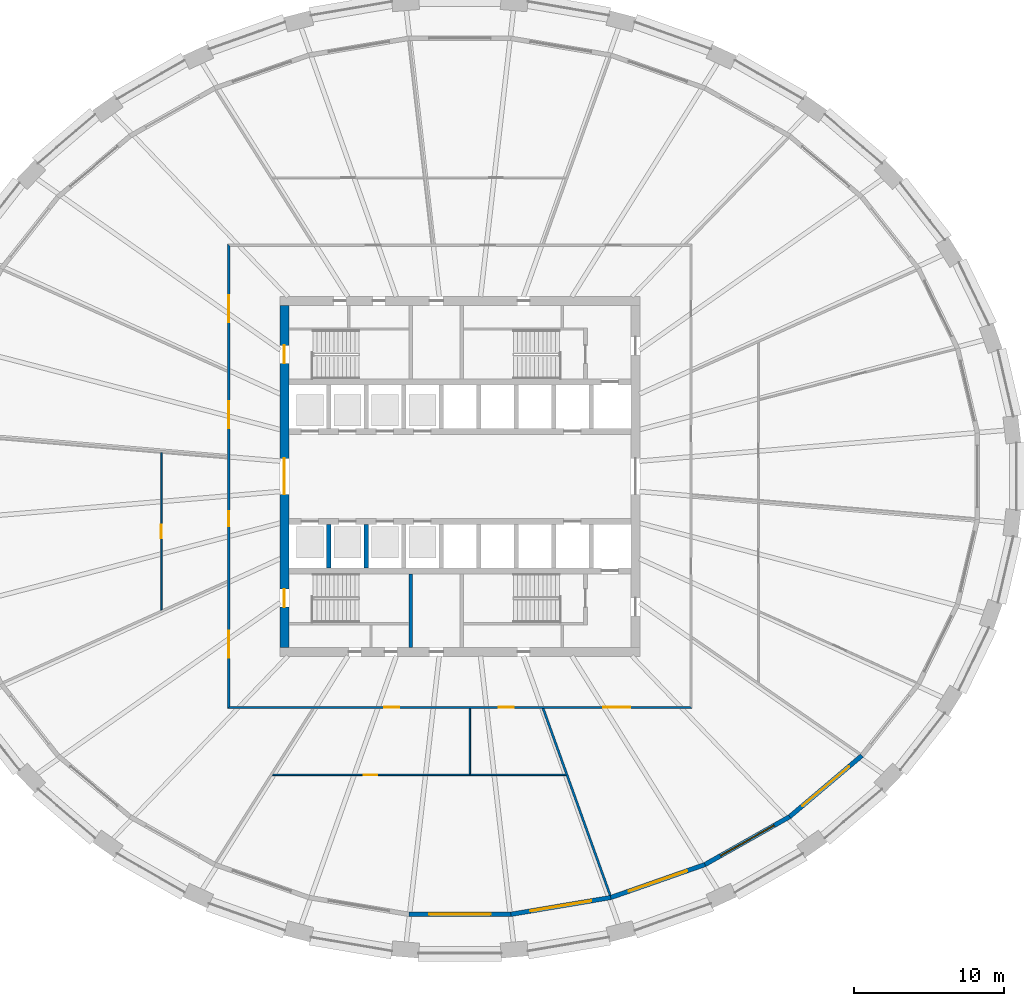
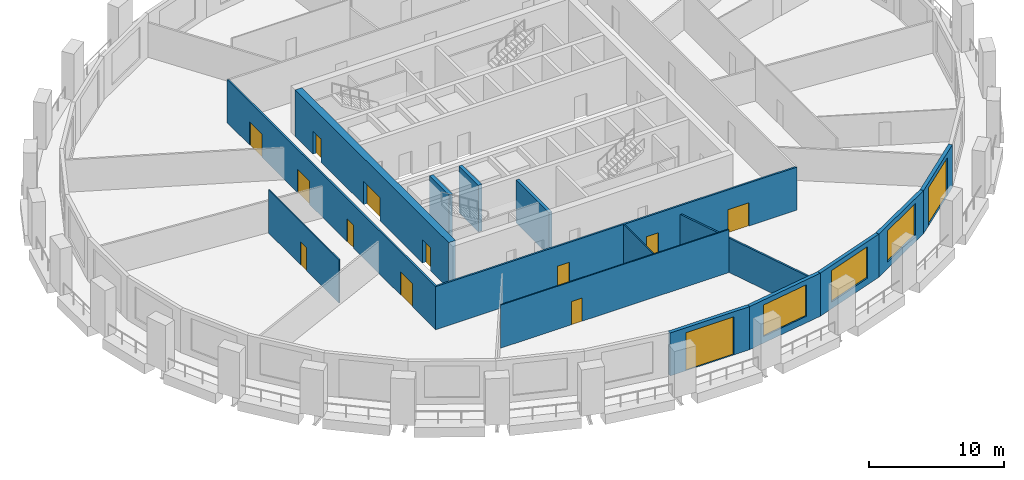
# One storey, part 3 of 10: 15 walls, 14 doors, 3 windows, 17 openings.
"""IFC4 building model written with IfcOpenShell, lengths in metres."""

from ifc_helpers import new_model, si_unit, direction, frame, frame_2d, origin, place, context, subcontext, project, spatial, polyline, rectangle, outline, extrude, material, layer, layer_set, type_object, element, fill, save


model = new_model("IFC4")

# Units and contexts
model_context = context("Model", 3, precision=1e-05, world=origin(), true_north=direction((0.0, 1.0)))
body_context = subcontext(model_context, "Body", "Model", "MODEL_VIEW")
ifc_project = project(units=[si_unit("LENGTHUNIT", "METRE"), si_unit("AREAUNIT", "SQUARE_METRE"), si_unit("VOLUMEUNIT", "CUBIC_METRE"), si_unit("PLANEANGLEUNIT", "RADIAN"), si_unit("MASSUNIT", "GRAM", prefix="KILO")], contexts=[model_context])

# Site, building, storey
site_placement = place(None, origin())
site = spatial("IfcSite", under=ifc_project, at=site_placement, CompositionType="ELEMENT")
building_placement = place(site_placement, origin())
building = spatial("IfcBuilding", under=site, at=building_placement, Name="Halqa Exchange Tower", CompositionType="ELEMENT")
storey_placement = place(building_placement, frame((0.0, 0.0, 57.10009765625)))
storey = spatial("IfcBuildingStorey", under=building, at=storey_placement, Name="L12", CompositionType="ELEMENT", Elevation=57.10009765625)

# Wall, openings, doors
ifc_material_1 = material(Name="Fire-rated gypsum board")
ifc_layer_1 = layer(ifc_material_1, 0.14990234375)
ifc_layer_set_1 = layer_set([ifc_layer_1], Name="Fire-rated gypsum board")
wall_type_1 = type_object("IfcWallType", Name="Fire partition EI 60 150", PredefinedType="PARTITIONING", material=ifc_layer_set_1)
wall_1_placement = place(storey_placement, frame((-15.39990234375, -15.47509765625, 0.0), z_axis=(0.0, 0.0, 1.0), x_axis=(0.0, 1.0, 0.0)))
wall_1 = element("IfcWall", 1, at=wall_1_placement, inside=storey, type_object=wall_type_1, Name="L12-PWL-006", PredefinedType="PARTITIONING", context=body_context, shape_type="SweptSolid", body=[
    extrude(outline(polyline([(0.150146484375, -0.074951171875), (2.065673828125, -0.074951171875), (3.9814453125, -0.074951171875), (5.89697265625, -0.074951171875), (7.8125, -0.074951171875), (9.728271484375, -0.074951171875), (11.643798828125, -0.074951171875), (13.5595703125, -0.074951171875), (15.47509765625, -0.074951171875), (17.390625, -0.074951171875), (19.306396484375, -0.074951171875), (21.221923828125, -0.074951171875), (23.1376953125, -0.074951171875), (25.05322265625, -0.074951171875), (26.96875, -0.074951171875), (28.884521484375, -0.074951171875), (30.800048828125, -0.074951171875), (30.949951171875, 0.074951171875), (29.015625, 0.074951171875), (27.081298828125, 0.074951171875), (25.14697265625, 0.074951171875), (23.21240234375, 0.074951171875), (21.278076171875, 0.074951171875), (19.34375, 0.074951171875), (17.409423828125, 0.074951171875), (15.47509765625, 0.074951171875), (13.540771484375, 0.074951171875), (11.6064453125, 0.074951171875), (9.672119140625, 0.074951171875), (7.73779296875, 0.074951171875), (5.80322265625, 0.074951171875), (3.868896484375, 0.074951171875), (1.9345703125, 0.074951171875), (0.000244140625, 0.074951171875), (0.150146484375, -0.074951171875)])), origin(), (0.0, 0.0, 1.0), 3.89990234375),
])
opening_1_placement = place(wall_1_placement, frame((25.7548828125, 0.0, 0.0)))
opening_1 = element("IfcOpeningElement", 2, at=opening_1_placement, cuts=wall_1, Name="Opening 03-03", PredefinedType="OPENING", context=body_context, shape_type="SweptSolid", body=[
    extrude(rectangle(XDim=1.800048828125, YDim=2.10009765625, at=frame_2d((0.89990234375, 1.050048828125))), frame((0.0, 0.0869140625, 0.0), z_axis=(0.0, -1.0, 0.0), x_axis=(1.0, 0.0, 0.0)), (0.0, 0.0, 1.0), 0.173828125),
])
opening_2_placement = place(wall_1_placement, frame((18.695068359375, 0.0, 0.0)))
opening_2 = element("IfcOpeningElement", 3, at=opening_2_placement, cuts=wall_1, Name="Opening 03-04", PredefinedType="OPENING", context=body_context, shape_type="SweptSolid", body=[
    extrude(rectangle(XDim=1.800048828125, YDim=2.10009765625, at=frame_2d((0.89990234375, 1.050048828125))), frame((0.0, 0.0869140625, 0.0), z_axis=(0.0, -1.0, 0.0), x_axis=(1.0, 0.0, 0.0)), (0.0, 0.0, 1.0), 0.173828125),
])
opening_3_placement = place(wall_1_placement, frame((12.135009765625, 0.0, 0.0)))
opening_3 = element("IfcOpeningElement", 4, at=opening_3_placement, cuts=wall_1, Name="Opening 03-05", PredefinedType="OPENING", context=body_context, shape_type="SweptSolid", body=[
    extrude(rectangle(XDim=1.0, YDim=2.10009765625, at=frame_2d((0.5, 1.050048828125))), frame((0.0, 0.0869140625, 0.0), z_axis=(0.0, -1.0, 0.0), x_axis=(1.0, 0.0, 0.0)), (0.0, 0.0, 1.0), 0.173828125),
])
opening_4_placement = place(wall_1_placement, frame((3.39501953125, 0.0, 0.0)))
opening_4 = element("IfcOpeningElement", 5, at=opening_4_placement, cuts=wall_1, Name="Opening 03-06", PredefinedType="OPENING", context=body_context, shape_type="SweptSolid", body=[
    extrude(rectangle(XDim=1.800048828125, YDim=2.10009765625, at=frame_2d((0.89990234375, 1.050048828125))), frame((0.0, 0.0869140625, 0.0), z_axis=(0.0, -1.0, 0.0), x_axis=(1.0, 0.0, 0.0)), (0.0, 0.0, 1.0), 0.173828125),
])
ifc_material_2 = material(Name="Steel fire door leaf", Category="steel")
door_type_1 = type_object("IfcDoorType", Name="Fire door FD30S 1000 x 2100", OperationType="SINGLE_SWING_LEFT", PredefinedType="DOOR", material=ifc_material_2)
door_1_placement = place(opening_3_placement, origin())
door_1 = element("IfcDoor", 6, at=door_1_placement, inside=storey, type_object=door_type_1, Name="L12-IDR-005", OperationType="SINGLE_SWING_LEFT", OverallHeight=2.10009765625, OverallWidth=1.0, PredefinedType="DOOR", context=body_context, shape_type="SweptSolid", body=[
    extrude(rectangle(XDim=1.0, YDim=2.10009765625, at=frame_2d((0.5, 1.050048828125))), frame((0.0, 0.02490234375, 0.0), z_axis=(0.0, -1.0, 0.0), x_axis=(1.0, 0.0, 0.0)), (0.0, 0.0, 1.0), 0.050048828125),
])
fill(opening_3, door_1)
door_type_2 = type_object("IfcDoorType", Name="Fire door FD30S double 1800 x 2100", OperationType="DOUBLE_DOOR_SINGLE_SWING", PredefinedType="DOOR", material=ifc_material_2)
door_2_placement = place(opening_1_placement, origin())
door_2 = element("IfcDoor", 7, at=door_2_placement, inside=storey, type_object=door_type_2, Name="L12-IDR-003", OperationType="DOUBLE_DOOR_SINGLE_SWING", OverallHeight=2.10009765625, OverallWidth=1.800048828125, PredefinedType="DOOR", context=body_context, shape_type="SweptSolid", body=[
    extrude(rectangle(XDim=1.800048828125, YDim=2.10009765625, at=frame_2d((0.89990234375, 1.050048828125))), frame((0.0, 0.02490234375, 0.0), z_axis=(0.0, -1.0, 0.0), x_axis=(1.0, 0.0, 0.0)), (0.0, 0.0, 1.0), 0.050048828125),
])
fill(opening_1, door_2)
door_3_placement = place(opening_2_placement, origin())
door_3 = element("IfcDoor", 8, at=door_3_placement, inside=storey, type_object=door_type_2, Name="L12-IDR-004", OperationType="DOUBLE_DOOR_SINGLE_SWING", OverallHeight=2.10009765625, OverallWidth=1.800048828125, PredefinedType="DOOR", context=body_context, shape_type="SweptSolid", body=[
    extrude(rectangle(XDim=1.800048828125, YDim=2.10009765625, at=frame_2d((0.89990234375, 1.050048828125))), frame((0.0, 0.02490234375, 0.0), z_axis=(0.0, -1.0, 0.0), x_axis=(1.0, 0.0, 0.0)), (0.0, 0.0, 1.0), 0.050048828125),
])
fill(opening_2, door_3)
door_4_placement = place(opening_4_placement, origin())
door_4 = element("IfcDoor", 9, at=door_4_placement, inside=storey, type_object=door_type_2, Name="L12-IDR-006", OperationType="DOUBLE_DOOR_SINGLE_SWING", OverallHeight=2.10009765625, OverallWidth=1.800048828125, PredefinedType="DOOR", context=body_context, shape_type="SweptSolid", body=[
    extrude(rectangle(XDim=1.800048828125, YDim=2.10009765625, at=frame_2d((0.89990234375, 1.050048828125))), frame((0.0, 0.02490234375, 0.0), z_axis=(0.0, -1.0, 0.0), x_axis=(1.0, 0.0, 0.0)), (0.0, 0.0, 1.0), 0.050048828125),
])
fill(opening_4, door_4)

wall_2_placement = place(storey_placement, frame((-15.47509765625, -15.39990234375, 0.0), z_axis=(0.0, 0.0, 1.0), x_axis=(1.0, 0.0, 0.0)))
wall_2 = element("IfcWall", 10, at=wall_2_placement, inside=storey, type_object=wall_type_1, Name="L12-PWL-007", PredefinedType="PARTITIONING", context=body_context, shape_type="SweptSolid", body=[
    extrude(outline(polyline([(0.000244140625, -0.074951171875), (1.9345703125, -0.074951171875), (3.868896484375, -0.074951171875), (5.80322265625, -0.074951171875), (7.73779296875, -0.074951171875), (9.672119140625, -0.074951171875), (11.6064453125, -0.074951171875), (13.540771484375, -0.074951171875), (15.47509765625, -0.074951171875), (17.409423828125, -0.074951171875), (19.34375, -0.074951171875), (21.278076171875, -0.074951171875), (23.21240234375, -0.074951171875), (25.14697265625, -0.074951171875), (27.081298828125, -0.074951171875), (29.015625, -0.074951171875), (30.949951171875, -0.074951171875), (30.800048828125, 0.074951171875), (28.884521484375, 0.074951171875), (26.96875, 0.074951171875), (25.05322265625, 0.074951171875), (23.1376953125, 0.074951171875), (21.221923828125, 0.074951171875), (19.306396484375, 0.074951171875), (17.390625, 0.074951171875), (15.47509765625, 0.074951171875), (13.5595703125, 0.074951171875), (11.643798828125, 0.074951171875), (9.728271484375, 0.074951171875), (7.8125, 0.074951171875), (5.89697265625, 0.074951171875), (3.9814453125, 0.074951171875), (2.065673828125, 0.074951171875), (0.150146484375, 0.074951171875), (0.000244140625, -0.074951171875)])), origin(), (0.0, 0.0, 1.0), 3.89990234375),
])
opening_5_placement = place(wall_2_placement, frame((10.445068359375, 0.0, 0.0)))
opening_5 = element("IfcOpeningElement", 11, at=opening_5_placement, cuts=wall_2, Name="Opening 03-07", PredefinedType="OPENING", context=body_context, shape_type="SweptSolid", body=[
    extrude(rectangle(XDim=1.0, YDim=2.10009765625, at=frame_2d((0.5, 1.050048828125))), frame((0.0, 0.0869140625, 0.0), z_axis=(0.0, -1.0, 0.0), x_axis=(1.0, 0.0, 0.0)), (0.0, 0.0, 1.0), 0.173828125),
])
opening_6_placement = place(wall_2_placement, frame((18.070068359375, 0.0, 0.0)))
opening_6 = element("IfcOpeningElement", 12, at=opening_6_placement, cuts=wall_2, Name="Opening 03-08", PredefinedType="OPENING", context=body_context, shape_type="SweptSolid", body=[
    extrude(rectangle(XDim=1.0, YDim=2.10009765625, at=frame_2d((0.5, 1.050048828125))), frame((0.0, 0.0869140625, 0.0), z_axis=(0.0, -1.0, 0.0), x_axis=(1.0, 0.0, 0.0)), (0.0, 0.0, 1.0), 0.173828125),
])
opening_7_placement = place(wall_2_placement, frame((25.034912109375, 0.0, 0.0)))
opening_7 = element("IfcOpeningElement", 13, at=opening_7_placement, cuts=wall_2, Name="Opening 03-09", PredefinedType="OPENING", context=body_context, shape_type="SweptSolid", body=[
    extrude(rectangle(XDim=1.800048828125, YDim=2.10009765625, at=frame_2d((0.89990234375, 1.050048828125))), frame((0.0, 0.0869140625, 0.0), z_axis=(0.0, -1.0, 0.0), x_axis=(1.0, 0.0, 0.0)), (0.0, 0.0, 1.0), 0.173828125),
])
door_5_placement = place(opening_5_placement, frame((1.0, 0.0, 0.0), z_axis=(0.0, 0.0, 1.0), x_axis=(-1.0, 0.0, 0.0)))
door_5 = element("IfcDoor", 14, at=door_5_placement, inside=storey, type_object=door_type_1, Name="L12-IDR-007", OperationType="SINGLE_SWING_RIGHT", OverallHeight=2.10009765625, OverallWidth=1.0, PredefinedType="DOOR", context=body_context, shape_type="SweptSolid", body=[
    extrude(rectangle(XDim=1.0, YDim=2.10009765625, at=frame_2d((0.5, 1.050048828125))), frame((0.0, 0.02490234375, 0.0), z_axis=(0.0, -1.0, 0.0), x_axis=(1.0, 0.0, 0.0)), (0.0, 0.0, 1.0), 0.050048828125),
])
fill(opening_5, door_5)
door_6_placement = place(opening_6_placement, frame((1.0, 0.0, 0.0), z_axis=(0.0, 0.0, 1.0), x_axis=(-1.0, 0.0, 0.0)))
door_6 = element("IfcDoor", 15, at=door_6_placement, inside=storey, type_object=door_type_1, Name="L12-IDR-008", OperationType="SINGLE_SWING_LEFT", OverallHeight=2.10009765625, OverallWidth=1.0, PredefinedType="DOOR", context=body_context, shape_type="SweptSolid", body=[
    extrude(rectangle(XDim=1.0, YDim=2.10009765625, at=frame_2d((0.5, 1.050048828125))), frame((0.0, 0.02490234375, 0.0), z_axis=(0.0, -1.0, 0.0), x_axis=(1.0, 0.0, 0.0)), (0.0, 0.0, 1.0), 0.050048828125),
])
fill(opening_6, door_6)
door_7_placement = place(opening_7_placement, frame((1.800048828125, 0.0, 0.0), z_axis=(0.0, 0.0, 1.0), x_axis=(-1.0, 0.0, 0.0)))
door_7 = element("IfcDoor", 16, at=door_7_placement, inside=storey, type_object=door_type_2, Name="L12-IDR-009", OperationType="DOUBLE_DOOR_SINGLE_SWING", OverallHeight=2.10009765625, OverallWidth=1.800048828125, PredefinedType="DOOR", context=body_context, shape_type="SweptSolid", body=[
    extrude(rectangle(XDim=1.800048828125, YDim=2.10009765625, at=frame_2d((0.89990234375, 1.050048828125))), frame((0.0, 0.02490234375, 0.0), z_axis=(0.0, -1.0, 0.0), x_axis=(1.0, 0.0, 0.0)), (0.0, 0.0, 1.0), 0.050048828125),
])
fill(opening_7, door_7)

# Wall
wall_3_placement = place(storey_placement, frame((5.537841796875, -15.449951171875, 0.0), z_axis=(0.0, 0.0, 1.0), x_axis=(0.337991057854, -0.941149321208, 0.0)))
element("IfcWall", 17, at=wall_3_placement, inside=storey, type_object=wall_type_1, Name="L12-PWL-015", PredefinedType="PARTITIONING", context=body_context, shape_type="SweptSolid", body=[
    extrude(outline(polyline([(0.0, -0.074951171875), (1.54931640625, -0.074951171875), (3.098876953125, -0.074951171875), (4.648193359375, -0.074951171875), (4.660400390625, -0.04150390625), (4.753662109375, -0.074951171875), (6.451904296875, -0.074951171875), (8.150146484375, -0.074951171875), (9.8486328125, -0.074951171875), (11.546875, -0.074951171875), (13.2451171875, -0.074951171875), (13.2587890625, 0.000244140625), (13.259033203125, 0.040771484375), (13.259033203125, 0.074951171875), (11.37255859375, 0.074951171875), (9.486083984375, 0.074951171875), (7.599609375, 0.074951171875), (5.713134765625, 0.074951171875), (3.826416015625, 0.074951171875), (1.93994140625, 0.074951171875), (0.053466796875, 0.074951171875), (0.0, -0.07421875), (0.0, -0.074951171875)])), origin(), (0.0, 0.0, 1.0), 3.10986328125),
])

# Wall, opening, door
ifc_material_3 = material(Name="Gypsum board")
ifc_layer_2 = layer(ifc_material_3, 0.10009765625)
ifc_layer_set_2 = layer_set([ifc_layer_2], Name="Gypsum board")
wall_type_2 = type_object("IfcWallType", Name="Partition 100 gypsum", PredefinedType="PARTITIONING", material=ifc_layer_set_2)
wall_4_placement = place(storey_placement, frame((-19.89990234375, -8.9326171875, 0.0), z_axis=(0.0, 0.0, 1.0), x_axis=(0.0, 1.0, 0.0)))
wall_4 = element("IfcWall", 18, at=wall_4_placement, inside=storey, type_object=wall_type_2, Name="L12-PWL-003", PredefinedType="PARTITIONING", context=body_context, shape_type="SweptSolid", body=[
    extrude(outline(polyline([(0.044921875, -0.050048828125), (1.7890625, -0.050048828125), (3.533203125, -0.050048828125), (5.27734375, -0.050048828125), (7.021240234375, -0.050048828125), (8.765380859375, -0.050048828125), (10.509521484375, -0.050048828125), (10.517578125, 0.045654296875), (10.517578125, 0.050048828125), (8.7646484375, 0.050048828125), (7.01171875, 0.050048828125), (5.2587890625, 0.050048828125), (3.505859375, 0.050048828125), (1.7529296875, 0.050048828125), (0.0, 0.050048828125), (0.0, 0.049560546875), (0.044921875, -0.050048828125)])), origin(), (0.0, 0.0, 1.0), 3.89990234375),
])
opening_8_placement = place(wall_4_placement, frame((4.8173828125, 0.0, 0.0)))
opening_8 = element("IfcOpeningElement", 19, at=opening_8_placement, cuts=wall_4, Name="Opening 03-16", PredefinedType="OPENING", context=body_context, shape_type="SweptSolid", body=[
    extrude(rectangle(XDim=0.89990234375, YDim=2.10009765625, at=frame_2d((0.449951171875, 1.050048828125))), frame((0.0, 0.06201171875, 0.0), z_axis=(0.0, -1.0, 0.0), x_axis=(1.0, 0.0, 0.0)), (0.0, 0.0, 1.0), 0.1240234375),
])
ifc_material_4 = material(Name="Timber door leaf", Category="wood")
door_type_3 = type_object("IfcDoorType", Name="Door 900 x 2100", OperationType="SINGLE_SWING_LEFT", PredefinedType="DOOR", material=ifc_material_4)
door_8_placement = place(opening_8_placement, frame((0.89990234375, 0.0, 0.0), z_axis=(0.0, 0.0, 1.0), x_axis=(-1.0, 0.0, 0.0)))
door_8 = element("IfcDoor", 20, at=door_8_placement, inside=storey, type_object=door_type_3, Name="L12-IDR-016", OperationType="SINGLE_SWING_LEFT", OverallHeight=2.10009765625, OverallWidth=0.89990234375, PredefinedType="DOOR", context=body_context, shape_type="SweptSolid", body=[
    extrude(rectangle(XDim=0.89990234375, YDim=2.10009765625, at=frame_2d((0.449951171875, 1.050048828125))), frame((0.0, 0.02490234375, 0.0), z_axis=(0.0, -1.0, 0.0), x_axis=(1.0, 0.0, 0.0)), (0.0, 0.0, 1.0), 0.050048828125),
])
fill(opening_8, door_8)

wall_5_placement = place(storey_placement, frame((-12.51953125, -19.89990234375, 0.0), z_axis=(0.0, 0.0, 1.0), x_axis=(1.0, 0.0, 0.0)))
wall_5 = element("IfcWall", 21, at=wall_5_placement, inside=storey, type_object=wall_type_2, Name="L12-PWL-010", PredefinedType="PARTITIONING", context=body_context, shape_type="SweptSolid", body=[
    extrude(outline(polyline([(19.593505859375, -0.050048828125), (19.593505859375, -0.04931640625), (19.557861328125, 0.050048828125), (17.978271484375, 0.050048828125), (16.398681640625, 0.050048828125), (14.819091796875, 0.050048828125), (13.239501953125, 0.050048828125), (13.239501953125, 0.0498046875), (13.1396484375, 0.0498046875), (13.1396484375, 0.050048828125), (11.271484375, 0.050048828125), (9.4033203125, 0.050048828125), (7.53515625, 0.050048828125), (5.667236328125, 0.050048828125), (3.799072265625, 0.050048828125), (1.930908203125, 0.050048828125), (0.06298828125, 0.050048828125), (0.0, -0.049560546875), (0.0, -0.050048828125), (1.95947265625, -0.050048828125), (3.918701171875, -0.050048828125), (5.8779296875, -0.050048828125), (7.83740234375, -0.050048828125), (9.796875, -0.050048828125), (11.756103515625, -0.050048828125), (13.71533203125, -0.050048828125), (15.6748046875, -0.050048828125), (17.63427734375, -0.050048828125), (19.593505859375, -0.050048828125)])), origin(), (0.0, 0.0, 1.0), 3.89990234375),
])
opening_9_placement = place(wall_5_placement, frame((6.114501953125, 0.0, 0.0)))
opening_9 = element("IfcOpeningElement", 22, at=opening_9_placement, cuts=wall_5, Name="Opening 03-17", PredefinedType="OPENING", context=body_context, shape_type="SweptSolid", body=[
    extrude(rectangle(XDim=0.89990234375, YDim=2.10009765625, at=frame_2d((0.449951171875, 1.050048828125))), frame((0.0, 0.06201171875, 0.0), z_axis=(0.0, -1.0, 0.0), x_axis=(1.0, 0.0, 0.0)), (0.0, 0.0, 1.0), 0.1240234375),
])
door_9_placement = place(opening_9_placement, origin())
door_9 = element("IfcDoor", 23, at=door_9_placement, inside=storey, type_object=door_type_3, Name="L12-IDR-017", OperationType="SINGLE_SWING_RIGHT", OverallHeight=2.10009765625, OverallWidth=0.89990234375, PredefinedType="DOOR", context=body_context, shape_type="SweptSolid", body=[
    extrude(rectangle(XDim=0.89990234375, YDim=2.10009765625, at=frame_2d((0.449951171875, 1.050048828125))), frame((0.0, 0.02490234375, 0.0), z_axis=(0.0, -1.0, 0.0), x_axis=(1.0, 0.0, 0.0)), (0.0, 0.0, 1.0), 0.050048828125),
])
fill(opening_9, door_9)

# Walls
wall_6_placement = place(storey_placement, frame((0.669921875, -15.47509765625, 0.0), z_axis=(0.0, 0.0, 1.0), x_axis=(0.0, -1.0, 0.0)))
element("IfcWall", 24, at=wall_6_placement, inside=storey, type_object=wall_type_2, Name="L12-PWL-014", PredefinedType="PARTITIONING", context=body_context, shape_type="SweptSolid", body=[
    extrude(rectangle(XDim=4.375, YDim=0.10009765625, at=frame_2d((2.1875, 0.0))), origin(), (0.0, 0.0, 1.0), 3.89990234375),
])
ifc_material_5 = material(Name="Concrete C60/75", Category="concrete")
ifc_layer_3 = layer(ifc_material_5, 0.300048828125)
ifc_layer_set_3 = layer_set([ifc_layer_3], Name="Concrete C60/75")
wall_type_3 = type_object("IfcWallType", Name="RC core wall 300", PredefinedType="SHEAR", material=ifc_layer_set_3)
for number, where, z_axis, x_axis, name in (
    (25, (-8.75, -6.10009765625, 0.0), (0.0, 0.0, 1.0), (0.0, 1.0, 0.0), "Shaft divider S1"),
    (26, (-6.25, -6.10009765625, 0.0), (0.0, 0.0, 1.0), (0.0, 1.0, 0.0), "Shaft divider S2"),
):
    element("IfcWall", number, at=place(storey_placement, frame(where, z_axis=z_axis, x_axis=x_axis)), inside=storey, type_object=wall_type_3, Name=name, PredefinedType="SHEAR", context=body_context, shape_type="SweptSolid", body=[
        extrude(rectangle(XDim=2.900146484375, YDim=0.300048828125, at=frame_2d((1.4501953125, 0.0))), origin(), (0.0, 0.0, 1.0), 4.199951171875),
    ])

# Wall, openings, doors
ifc_material_6 = material(Name="Concrete C80/95", Category="concrete")
ifc_layer_4 = layer(ifc_material_6, 0.60009765625)
ifc_layer_set_4 = layer_set([ifc_layer_4], Name="Concrete C80/95")
wall_type_4 = type_object("IfcWallType", Name="RC core wall 600 C80/95", PredefinedType="SHEAR", material=ifc_layer_set_4)
wall_7_placement = place(storey_placement, frame((-11.699951171875, -11.39990234375, 0.0), z_axis=(0.0, 0.0, 1.0), x_axis=(0.0, 1.0, 0.0)))
wall_7 = element("IfcWall", 27, at=wall_7_placement, inside=storey, type_object=wall_type_4, Name="Core wall west", PredefinedType="SHEAR", context=body_context, shape_type="SweptSolid", body=[
    extrude(rectangle(XDim=22.7998046875, YDim=0.60009765625, at=frame_2d((11.39990234375, 0.0))), origin(), (0.0, 0.0, 1.0), 4.199951171875),
])
opening_10_placement = place(wall_7_placement, frame((10.199951171875, 0.0, 0.0)))
opening_10 = element("IfcOpeningElement", 28, at=opening_10_placement, cuts=wall_7, Name="Opening T03-C13", PredefinedType="OPENING", context=body_context, shape_type="SweptSolid", body=[
    extrude(rectangle(XDim=2.39990234375, YDim=2.10009765625, at=frame_2d((1.199951171875, 1.050048828125))), frame((0.0, 0.31201171875, 0.0), z_axis=(0.0, -1.0, 0.0), x_axis=(1.0, 0.0, 0.0)), (0.0, 0.0, 1.0), 0.6240234375),
])
opening_11_placement = place(wall_7_placement, frame((18.925048828125, 0.0, 0.0)))
opening_11 = element("IfcOpeningElement", 29, at=opening_11_placement, cuts=wall_7, Name="Opening T03-C15", PredefinedType="OPENING", context=body_context, shape_type="SweptSolid", body=[
    extrude(rectangle(XDim=1.199951171875, YDim=2.10009765625, at=frame_2d((0.60009765625, 1.050048828125))), frame((0.0, 0.31201171875, 0.0), z_axis=(0.0, -1.0, 0.0), x_axis=(1.0, 0.0, 0.0)), (0.0, 0.0, 1.0), 0.6240234375),
])
opening_12_placement = place(wall_7_placement, frame((2.675048828125, 0.0, 0.0)))
opening_12 = element("IfcOpeningElement", 30, at=opening_12_placement, cuts=wall_7, Name="Opening T03-C17", PredefinedType="OPENING", context=body_context, shape_type="SweptSolid", body=[
    extrude(rectangle(XDim=1.199951171875, YDim=2.10009765625, at=frame_2d((0.60009765625, 1.050048828125))), frame((0.0, 0.31201171875, 0.0), z_axis=(0.0, -1.0, 0.0), x_axis=(1.0, 0.0, 0.0)), (0.0, 0.0, 1.0), 0.6240234375),
])
door_type_4 = type_object("IfcDoorType", Name="Lobby double door FD60 2400 x 2100", OperationType="DOUBLE_DOOR_SINGLE_SWING", PredefinedType="DOOR", material=ifc_material_2)
door_10_placement = place(opening_10_placement, frame((2.39990234375, 0.0, 0.0), z_axis=(0.0, 0.0, 1.0), x_axis=(-1.0, 0.0, 0.0)))
door_10 = element("IfcDoor", 31, at=door_10_placement, inside=storey, type_object=door_type_4, Name="Lift lobby double door", OperationType="DOUBLE_DOOR_SINGLE_SWING", OverallHeight=2.10009765625, OverallWidth=2.39990234375, PredefinedType="DOOR", context=body_context, shape_type="SweptSolid", body=[
    extrude(rectangle(XDim=2.39990234375, YDim=2.10009765625, at=frame_2d((1.199951171875, 1.050048828125))), frame((0.0, 0.02490234375, 0.0), z_axis=(0.0, -1.0, 0.0), x_axis=(1.0, 0.0, 0.0)), (0.0, 0.0, 1.0), 0.050048828125),
])
fill(opening_10, door_10)
door_type_5 = type_object("IfcDoorType", Name="Stair door FD90 1200 x 2100", OperationType="SINGLE_SWING_LEFT", PredefinedType="DOOR", material=ifc_material_2)
door_11_placement = place(opening_11_placement, frame((1.199951171875, 0.0, 0.0), z_axis=(0.0, 0.0, 1.0), x_axis=(-1.0, 0.0, 0.0)))
door_11 = element("IfcDoor", 32, at=door_11_placement, inside=storey, type_object=door_type_5, Name="Stair door ST1", OperationType="SINGLE_SWING_LEFT", OverallHeight=2.10009765625, OverallWidth=1.199951171875, PredefinedType="DOOR", context=body_context, shape_type="SweptSolid", body=[
    extrude(rectangle(XDim=1.199951171875, YDim=2.10009765625, at=frame_2d((0.60009765625, 1.050048828125))), frame((0.0, 0.02490234375, 0.0), z_axis=(0.0, -1.0, 0.0), x_axis=(1.0, 0.0, 0.0)), (0.0, 0.0, 1.0), 0.050048828125),
])
fill(opening_11, door_11)
door_12_placement = place(opening_12_placement, frame((1.199951171875, 0.0, 0.0), z_axis=(0.0, 0.0, 1.0), x_axis=(-1.0, 0.0, 0.0)))
door_12 = element("IfcDoor", 33, at=door_12_placement, inside=storey, type_object=door_type_5, Name="Stair door ST3", OperationType="SINGLE_SWING_LEFT", OverallHeight=2.10009765625, OverallWidth=1.199951171875, PredefinedType="DOOR", context=body_context, shape_type="SweptSolid", body=[
    extrude(rectangle(XDim=1.199951171875, YDim=2.10009765625, at=frame_2d((0.60009765625, 1.050048828125))), frame((0.0, 0.02490234375, 0.0), z_axis=(0.0, -1.0, 0.0), x_axis=(1.0, 0.0, 0.0)), (0.0, 0.0, 1.0), 0.050048828125),
])
fill(opening_12, door_12)

# Wall
ifc_material_7 = material(Name="Concrete C30/37", Category="concrete")
ifc_layer_5 = layer(ifc_material_7, 0.25)
ifc_layer_set_5 = layer_set([ifc_layer_5], Name="Concrete C30/37")
wall_type_5 = type_object("IfcWallType", Name="RC stair wall 250 C30/37", PredefinedType="SHEAR", material=ifc_layer_set_5)
wall_8_placement = place(storey_placement, frame((-3.27490234375, -11.39990234375, 0.0), z_axis=(0.0, 0.0, 1.0), x_axis=(0.0, 1.0, 0.0)))
element("IfcWall", 34, at=wall_8_placement, inside=storey, type_object=wall_type_5, Name="Stair ST1 east wall S", PredefinedType="SHEAR", context=body_context, shape_type="SweptSolid", body=[
    extrude(rectangle(XDim=4.89990234375, YDim=0.25, at=frame_2d((2.449951171875, 0.0))), origin(), (0.0, 0.0, 1.0), 3.89990234375),
])

# Wall, opening, door
ifc_material_8 = material(Name="Limestone cladding", Category="masonry")
ifc_layer_6 = layer(ifc_material_8, 0.0400390625)
ifc_material_9 = material(Name="Ventilated cavity")
ifc_layer_7 = layer(ifc_material_9, 0.030029296875, ventilated=True)
ifc_material_10 = material(Name="Mineral wool insulation")
ifc_layer_8 = layer(ifc_material_10, 0.10009765625)
ifc_layer_9 = layer(ifc_material_7, 0.10009765625)
ifc_material_11 = material(Name="Internal plaster")
ifc_layer_10 = layer(ifc_material_11, 0.030029296875)
ifc_layer_set_6 = layer_set([ifc_layer_6, ifc_layer_7, ifc_layer_8, ifc_layer_9, ifc_layer_10], Name="Stone-faced insulated wall 300")
wall_type_6 = type_object("IfcWallType", Name="Stone-faced insulated wall 300", PredefinedType="STANDARD", material=ifc_layer_set_6)
wall_9_placement = place(storey_placement, frame((-3.3955078125, -29.194580078125, 0.0), z_axis=(0.0, 0.0, 1.0), x_axis=(1.0, 0.0, 0.0)))
wall_9 = element("IfcWall", 35, at=wall_9_placement, inside=storey, type_object=wall_type_6, Name="Glass-line wall 24", PredefinedType="STANDARD", context=body_context, shape_type="SweptSolid", body=[
    extrude(outline(polyline([(-0.012451171875, -0.14990234375), (6.803466796875, -0.14990234375), (6.778564453125, 0.14990234375), (0.012451171875, 0.14990234375), (-0.012451171875, -0.14990234375)])), origin(), (0.0, 0.0, 1.0), 3.89990234375),
])
opening_13_placement = place(wall_9_placement, frame((1.345703125, 0.0, 0.0)))
opening_13 = element("IfcOpeningElement", 36, at=opening_13_placement, cuts=wall_9, Name="Opening LG-F1-06", PredefinedType="OPENING", context=body_context, shape_type="SweptSolid", body=[
    extrude(rectangle(XDim=4.10009765625, YDim=3.449951171875, at=frame_2d((2.050048828125, 1.72509765625))), frame((0.0, 0.162109375, 0.0), z_axis=(0.0, -1.0, 0.0), x_axis=(1.0, 0.0, 0.0)), (0.0, 0.0, 1.0), 0.323974609375),
])
ifc_material_12 = material(Name="Clear low-emissivity glass in aluminium frame", Category="aluminium")
door_type_6 = type_object("IfcDoorType", Name="Glazed sliding loggia door 4100 x 3450", OperationType="DOUBLE_DOOR_SLIDING", PredefinedType="DOOR", material=ifc_material_12)
door_13_placement = place(opening_13_placement, origin())
door_13 = element("IfcDoor", 37, at=door_13_placement, inside=storey, type_object=door_type_6, Name="Loggia door 6", OperationType="DOUBLE_DOOR_SLIDING", OverallHeight=3.449951171875, OverallWidth=4.10009765625, PredefinedType="DOOR", context=body_context, shape_type="SweptSolid", body=[
    extrude(rectangle(XDim=4.10009765625, YDim=3.449951171875, at=frame_2d((2.050048828125, 1.72509765625))), frame((0.0, 0.02490234375, 0.0), z_axis=(0.0, -1.0, 0.0), x_axis=(1.0, 0.0, 0.0)), (0.0, 0.0, 1.0), 0.050048828125),
])
fill(opening_13, door_13)

# Wall, opening, window
wall_10_placement = place(storey_placement, frame((3.3955078125, -29.194580078125, 0.0), z_axis=(0.0, 0.0, 1.0), x_axis=(0.986149614624, 0.165858185139, 0.0)))
wall_10 = element("IfcWall", 38, at=wall_10_placement, inside=storey, type_object=wall_type_6, Name="Glass-line wall 25", PredefinedType="STANDARD", context=body_context, shape_type="SweptSolid", body=[
    extrude(outline(polyline([(-0.012451171875, -0.14990234375), (6.767578125, -0.14990234375), (6.7421875, 0.14990234375), (0.012451171875, 0.14990234375), (-0.012451171875, -0.14990234375)])), origin(), (0.0, 0.0, 1.0), 3.89990234375),
])
opening_14_placement = place(wall_10_placement, frame((1.327392578125, 0.0, 0.60009765625)))
opening_14 = element("IfcOpeningElement", 39, at=opening_14_placement, cuts=wall_10, Name="Opening W-F1-25", PredefinedType="OPENING", context=body_context, shape_type="SweptSolid", body=[
    extrude(rectangle(XDim=4.10009765625, YDim=2.85009765625, at=frame_2d((2.050048828125, 1.425048828125))), frame((0.0, 0.162109375, 0.0), z_axis=(0.0, -1.0, 0.0), x_axis=(1.0, 0.0, 0.0)), (0.0, 0.0, 1.0), 0.323974609375),
])
window_type = type_object("IfcWindowType", Name="Fixed clear glazed window 4100 x 2850", PartitioningType="TRIPLE_PANEL_VERTICAL", PredefinedType="WINDOW", material=ifc_material_12)
window_1_placement = place(opening_14_placement, origin())
window_1 = element("IfcWindow", 40, at=window_1_placement, inside=storey, type_object=window_type, Name="Window 1", OverallHeight=2.85009765625, OverallWidth=4.10009765625, PartitioningType="TRIPLE_PANEL_VERTICAL", PredefinedType="WINDOW", context=body_context, shape_type="SweptSolid", body=[
    extrude(rectangle(XDim=4.10009765625, YDim=2.85009765625, at=frame_2d((2.050048828125, 1.425048828125))), frame((0.0, 0.030029296875, 0.0), z_axis=(0.0, -1.0, 0.0), x_axis=(1.0, 0.0, 0.0)), (0.0, 0.0, 1.0), 0.06005859375),
])
fill(opening_14, window_1)

wall_11_placement = place(storey_placement, frame((10.056884765625, -28.07421875, 0.0), z_axis=(0.0, 0.0, 1.0), x_axis=(0.943790794479, 0.330543395421, 0.0)))
wall_11 = element("IfcWall", 41, at=wall_11_placement, inside=storey, type_object=wall_type_6, Name="Glass-line wall 26", PredefinedType="STANDARD", context=body_context, shape_type="SweptSolid", body=[
    extrude(outline(polyline([(-0.0126953125, -0.14990234375), (6.6630859375, -0.14990234375), (6.63623046875, 0.14990234375), (0.0126953125, 0.14990234375), (-0.0126953125, -0.14990234375)])), origin(), (0.0, 0.0, 1.0), 3.89990234375),
])
opening_15_placement = place(wall_11_placement, frame((1.27490234375, 0.0, 0.60009765625)))
opening_15 = element("IfcOpeningElement", 42, at=opening_15_placement, cuts=wall_11, Name="Opening W-F1-26", PredefinedType="OPENING", context=body_context, shape_type="SweptSolid", body=[
    extrude(rectangle(XDim=4.10009765625, YDim=2.85009765625, at=frame_2d((2.050048828125, 1.425048828125))), frame((0.0, 0.162109375, 0.0), z_axis=(0.0, -1.0, 0.0), x_axis=(1.0, 0.0, 0.0)), (0.0, 0.0, 1.0), 0.323974609375),
])
window_2_placement = place(opening_15_placement, origin())
window_2 = element("IfcWindow", 43, at=window_2_placement, inside=storey, type_object=window_type, Name="Window 1", OverallHeight=2.85009765625, OverallWidth=4.10009765625, PartitioningType="TRIPLE_PANEL_VERTICAL", PredefinedType="WINDOW", context=body_context, shape_type="SweptSolid", body=[
    extrude(rectangle(XDim=4.10009765625, YDim=2.85009765625, at=frame_2d((2.050048828125, 1.425048828125))), frame((0.0, 0.030029296875, 0.0), z_axis=(0.0, -1.0, 0.0), x_axis=(1.0, 0.0, 0.0)), (0.0, 0.0, 1.0), 0.06005859375),
])
fill(opening_15, window_2)

wall_12_placement = place(storey_placement, frame((16.332763671875, -25.876220703125, 0.0), z_axis=(0.0, 0.0, 1.0), x_axis=(0.870647609977, 0.491907246584, 0.0)))
wall_12 = element("IfcWall", 44, at=wall_12_placement, inside=storey, type_object=wall_type_6, Name="Glass-line wall 27", PredefinedType="STANDARD", context=body_context, shape_type="SweptSolid", body=[
    extrude(outline(polyline([(-0.013427734375, -0.14990234375), (6.50341796875, -0.14990234375), (6.47509765625, 0.14990234375), (0.013427734375, 0.14990234375), (-0.013427734375, -0.14990234375)])), origin(), (0.0, 0.0, 1.0), 3.89990234375),
])
opening_16_placement = place(wall_12_placement, frame((1.194580078125, 0.0, 0.60009765625)))
opening_16 = element("IfcOpeningElement", 45, at=opening_16_placement, cuts=wall_12, Name="Opening W-F1-27", PredefinedType="OPENING", context=body_context, shape_type="SweptSolid", body=[
    extrude(rectangle(XDim=4.10009765625, YDim=2.85009765625, at=frame_2d((2.050048828125, 1.425048828125))), frame((0.0, 0.162109375, 0.0), z_axis=(0.0, -1.0, 0.0), x_axis=(1.0, 0.0, 0.0)), (0.0, 0.0, 1.0), 0.323974609375),
])
window_3_placement = place(opening_16_placement, origin())
window_3 = element("IfcWindow", 46, at=window_3_placement, inside=storey, type_object=window_type, Name="Window 1", OverallHeight=2.85009765625, OverallWidth=4.10009765625, PartitioningType="TRIPLE_PANEL_VERTICAL", PredefinedType="WINDOW", context=body_context, shape_type="SweptSolid", body=[
    extrude(rectangle(XDim=4.10009765625, YDim=2.85009765625, at=frame_2d((2.050048828125, 1.425048828125))), frame((0.0, 0.030029296875, 0.0), z_axis=(0.0, -1.0, 0.0), x_axis=(1.0, 0.0, 0.0)), (0.0, 0.0, 1.0), 0.06005859375),
])
fill(opening_16, window_3)

# Wall, opening, door
wall_13_placement = place(storey_placement, frame((21.982666015625, -22.68408203125, 0.0), z_axis=(0.0, 0.0, 1.0), x_axis=(0.763614259808, 0.645672720671, 0.0)))
wall_13 = element("IfcWall", 47, at=wall_13_placement, inside=storey, type_object=wall_type_6, Name="Glass-line wall 28", PredefinedType="STANDARD", context=body_context, shape_type="SweptSolid", body=[
    extrude(outline(polyline([(-0.01416015625, -0.14990234375), (6.31005859375, -0.14990234375), (6.27978515625, 0.14990234375), (0.01416015625, 0.14990234375), (-0.01416015625, -0.14990234375)])), origin(), (0.0, 0.0, 1.0), 3.89990234375),
])
opening_17_placement = place(wall_13_placement, frame((1.097412109375, 0.0, 0.0)))
opening_17 = element("IfcOpeningElement", 48, at=opening_17_placement, cuts=wall_13, Name="Opening LG-F1-07", PredefinedType="OPENING", context=body_context, shape_type="SweptSolid", body=[
    extrude(rectangle(XDim=4.10009765625, YDim=3.449951171875, at=frame_2d((2.050048828125, 1.72509765625))), frame((0.0, 0.162109375, 0.0), z_axis=(0.0, -1.0, 0.0), x_axis=(1.0, 0.0, 0.0)), (0.0, 0.0, 1.0), 0.323974609375),
])
door_14_placement = place(opening_17_placement, origin())
door_14 = element("IfcDoor", 49, at=door_14_placement, inside=storey, type_object=door_type_6, Name="Loggia door 7", OperationType="DOUBLE_DOOR_SLIDING", OverallHeight=3.449951171875, OverallWidth=4.10009765625, PredefinedType="DOOR", context=body_context, shape_type="SweptSolid", body=[
    extrude(rectangle(XDim=4.10009765625, YDim=3.449951171875, at=frame_2d((2.050048828125, 1.72509765625))), frame((0.0, 0.02490234375, 0.0), z_axis=(0.0, -1.0, 0.0), x_axis=(1.0, 0.0, 0.0)), (0.0, 0.0, 1.0), 0.050048828125),
])
fill(opening_17, door_14)

save(model, "model.ifc")
